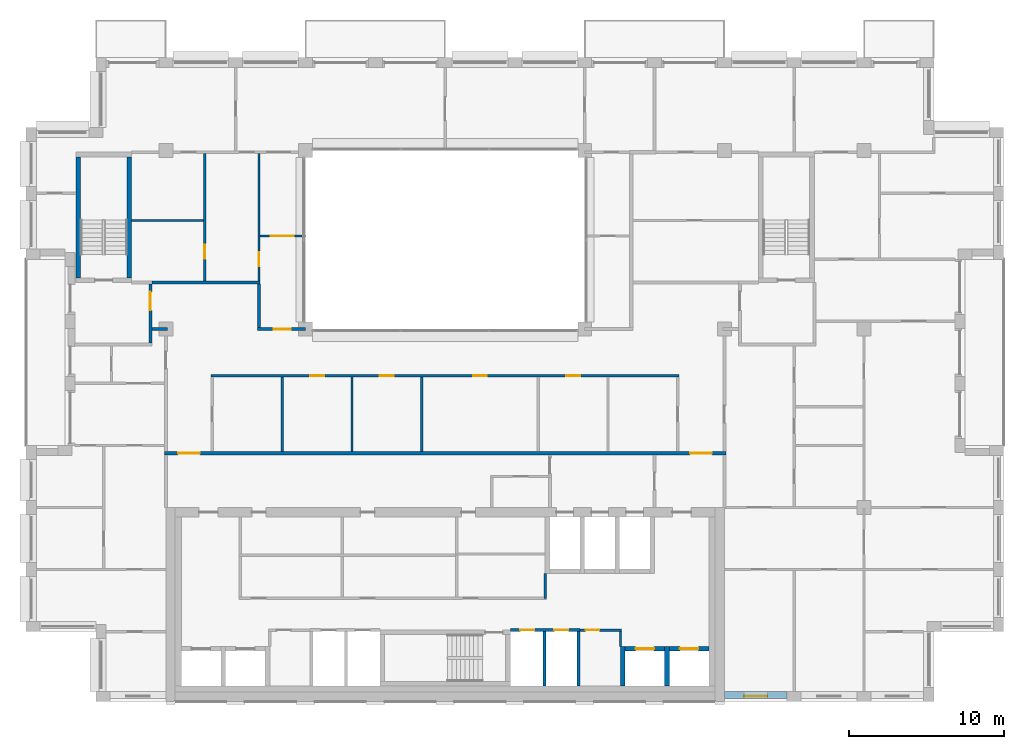
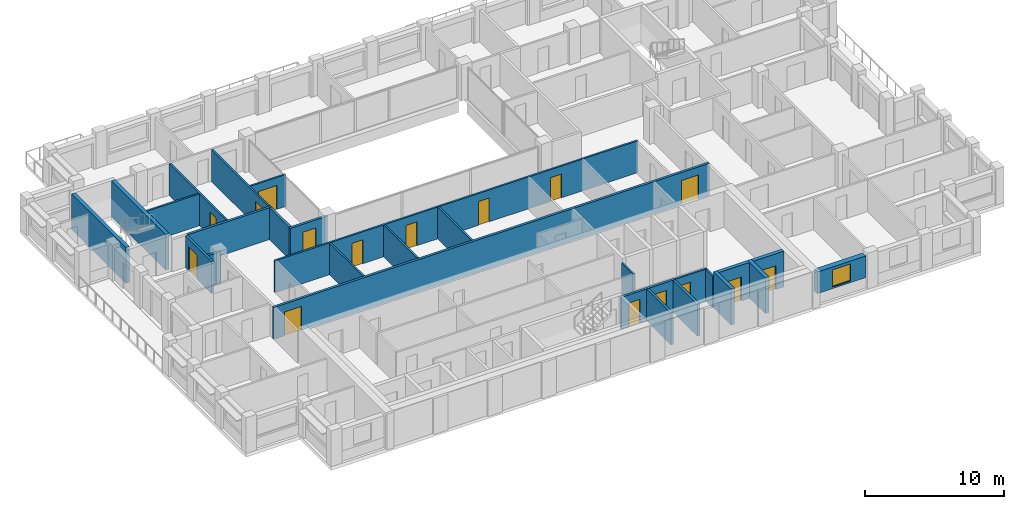
# One storey, part 10 of 15: 27 walls, 16 doors, 1 window, 17 openings.
"""IFC4 building model written with IfcOpenShell, lengths in metres."""

from ifc_helpers import new_model, si_unit, direction, frame, frame_2d, origin, place, context, subcontext, project, spatial, rectangle, extrude, material, layer, layer_set, type_object, element, fill, save


model = new_model("IFC4")

# Units and contexts
model_context = context("Model", 3, precision=1e-05, world=origin(), true_north=direction((0.0, 1.0)))
body_context = subcontext(model_context, "Body", "Model", "MODEL_VIEW")
ifc_project = project(units=[si_unit("LENGTHUNIT", "METRE"), si_unit("AREAUNIT", "SQUARE_METRE"), si_unit("VOLUMEUNIT", "CUBIC_METRE"), si_unit("PLANEANGLEUNIT", "RADIAN"), si_unit("MASSUNIT", "GRAM", prefix="KILO")], contexts=[model_context])

# Site, building, storey
site_placement = place(None, origin())
site = spatial("IfcSite", under=ifc_project, at=site_placement, CompositionType="ELEMENT")
building_placement = place(site_placement, origin())
building = spatial("IfcBuilding", under=site, at=building_placement, Name="Brigalow Station Residences", CompositionType="ELEMENT")
storey_placement = place(building_placement, frame((0.0, 0.0, 232.64990234375)))
storey = spatial("IfcBuildingStorey", under=building, at=storey_placement, Name="L67", CompositionType="ELEMENT", Elevation=232.64990234375)

# Wall, opening, window
ifc_material_1 = material(Name="Clay brick masonry", Category="masonry")
ifc_layer_1 = layer(ifc_material_1, 0.449951171875)
ifc_layer_set_1 = layer_set([ifc_layer_1], Name="BRICK INFILL WALL 450")
wall_type_1 = type_object("IfcWallType", Name="BRICK INFILL WALL 450", PredefinedType="SOLIDWALL", material=ifc_layer_set_1)
wall_1_placement = place(storey_placement, frame((54.0, 0.425048828125, 0.900146484375), z_axis=(0.0, 0.0, 1.0), x_axis=(1.0, 0.0, 0.0)))
wall_1 = element("IfcWall", 1, at=wall_1_placement, inside=storey, type_object=wall_type_1, Name="L67/ewall/W-L67-3", PredefinedType="SOLIDWALL", context=body_context, shape_type="SweptSolid", body=[
    extrude(rectangle(XDim=4.050048828125, YDim=0.449951171875, at=frame_2d((2.02490234375, 0.0))), origin(), (0.0, 0.0, 1.0), 1.89990234375),
])
opening_1_placement = place(wall_1_placement, frame((1.27490234375, 0.0, 0.14990234375)))
opening_1 = element("IfcOpeningElement", 2, at=opening_1_placement, cuts=wall_1, Name="Opening WT-1", PredefinedType="OPENING", context=body_context, shape_type="SweptSolid", body=[
    extrude(rectangle(XDim=1.5, YDim=1.5, at=frame_2d((0.75, 0.75))), frame((0.0, 0.23486328125, 0.0), z_axis=(0.0, -1.0, 0.0), x_axis=(1.0, 0.0, 0.0)), (0.0, 0.0, 1.0), 0.469970703125),
])
ifc_material_2 = material(Name="Anodised aluminium frame with double glazing", Category="aluminium")
window_type = type_object("IfcWindowType", Name="WINDOW 1500x1500", PartitioningType="SINGLE_PANEL", PredefinedType="WINDOW", material=ifc_material_2)
window_placement = place(opening_1_placement, origin())
window = element("IfcWindow", 3, at=window_placement, inside=storey, type_object=window_type, Name="L67/window/W-L67-3", OverallHeight=1.5, OverallWidth=1.5, PartitioningType="SINGLE_PANEL", PredefinedType="WINDOW", context=body_context, shape_type="SweptSolid", body=[
    extrude(rectangle(XDim=1.5, YDim=1.5, at=frame_2d((0.75, 0.75))), frame((0.0, -0.06494140625, 0.0), z_axis=(0.0, -1.0, 0.0), x_axis=(1.0, 0.0, 0.0)), (0.0, 0.0, 1.0), 0.06005859375),
])
fill(opening_1, window)

# Wall, opening, door
ifc_material_3 = material(Name="Concrete C50", Category="concrete")
ifc_layer_2 = layer(ifc_material_3, 0.300048828125)
ifc_layer_set_2 = layer_set([ifc_layer_2], Name="CORE SHEAR WALL 300 C50")
wall_type_2 = type_object("IfcWallType", Name="CORE SHEAR WALL 300 C50", PredefinedType="SHEAR", material=ifc_layer_set_2)
wall_2_placement = place(storey_placement, frame((47.60009765625, 3.39990234375, 0.0), z_axis=(0.0, 0.0, 1.0), x_axis=(1.0, 0.0, 0.0)))
wall_2 = element("IfcWall", 4, at=wall_2_placement, inside=storey, type_object=wall_type_2, Name="CORE WALL SH-C3-N L67", PredefinedType="SHEAR", context=body_context, shape_type="SweptSolid", body=[
    extrude(rectangle(XDim=2.5498046875, YDim=0.300048828125, at=frame_2d((1.27490234375, 0.0))), origin(), (0.0, 0.0, 1.0), 3.150146484375),
])
opening_2_placement = place(wall_2_placement, frame((0.675048828125, 0.0, 0.0)))
opening_2 = element("IfcOpeningElement", 5, at=opening_2_placement, cuts=wall_2, Name="Opening LD-LB3", PredefinedType="OPENING", context=body_context, shape_type="SweptSolid", body=[
    extrude(rectangle(XDim=1.199951171875, YDim=2.10009765625, at=frame_2d((0.60009765625, 1.050048828125))), frame((0.0, 0.16015625, 0.0), z_axis=(0.0, -1.0, 0.0), x_axis=(1.0, 0.0, 0.0)), (0.0, 0.0, 1.0), 0.320068359375),
])
ifc_material_4 = material(Name="Stainless steel sliding door leaves", Category="steel")
door_type_1 = type_object("IfcDoorType", Name="LIFT LANDING DOOR 1200 x 2100", OperationType="DOUBLE_DOOR_SLIDING", PredefinedType="DOOR", material=ifc_material_4)
door_1_placement = place(opening_2_placement, origin())
door_1 = element("IfcDoor", 6, at=door_1_placement, inside=storey, type_object=door_type_1, Name="LANDING DOOR LB3", OperationType="DOUBLE_DOOR_SLIDING", OverallHeight=2.10009765625, OverallWidth=1.199951171875, PredefinedType="DOOR", context=body_context, shape_type="SweptSolid", body=[
    extrude(rectangle(XDim=1.199951171875, YDim=2.10009765625, at=frame_2d((0.60009765625, 1.050048828125))), frame((0.0, 0.02490234375, 0.0), z_axis=(0.0, -1.0, 0.0), x_axis=(1.0, 0.0, 0.0)), (0.0, 0.0, 1.0), 0.050048828125),
])
fill(opening_2, door_1)

# Wall
wall_3_placement = place(storey_placement, frame((47.449951171875, 1.0, 0.0), z_axis=(0.0, 0.0, 1.0), x_axis=(0.0, 1.0, 0.0)))
element("IfcWall", 7, at=wall_3_placement, inside=storey, type_object=wall_type_2, Name="CORE WALL SH-C3-W L67", PredefinedType="SHEAR", context=body_context, shape_type="SweptSolid", body=[
    extrude(rectangle(XDim=2.550048828125, YDim=0.300048828125, at=frame_2d((1.27490234375, 0.0))), origin(), (0.0, 0.0, 1.0), 3.150146484375),
])

# Wall, opening, door
wall_4_placement = place(storey_placement, frame((50.449951171875, 3.39990234375, 0.0), z_axis=(0.0, 0.0, 1.0), x_axis=(1.0, 0.0, 0.0)))
wall_4 = element("IfcWall", 8, at=wall_4_placement, inside=storey, type_object=wall_type_2, Name="CORE WALL SH-C4-N L67", PredefinedType="SHEAR", context=body_context, shape_type="SweptSolid", body=[
    extrude(rectangle(XDim=2.550048828125, YDim=0.300048828125, at=frame_2d((1.27490234375, 0.0))), origin(), (0.0, 0.0, 1.0), 3.150146484375),
])
opening_3_placement = place(wall_4_placement, frame((0.675048828125, 0.0, 0.0)))
opening_3 = element("IfcOpeningElement", 9, at=opening_3_placement, cuts=wall_4, Name="Opening LD-LB4", PredefinedType="OPENING", context=body_context, shape_type="SweptSolid", body=[
    extrude(rectangle(XDim=1.199951171875, YDim=2.10009765625, at=frame_2d((0.60009765625, 1.050048828125))), frame((0.0, 0.16015625, 0.0), z_axis=(0.0, -1.0, 0.0), x_axis=(1.0, 0.0, 0.0)), (0.0, 0.0, 1.0), 0.320068359375),
])
door_2_placement = place(opening_3_placement, origin())
door_2 = element("IfcDoor", 10, at=door_2_placement, inside=storey, type_object=door_type_1, Name="LANDING DOOR LB4", OperationType="DOUBLE_DOOR_SLIDING", OverallHeight=2.10009765625, OverallWidth=1.199951171875, PredefinedType="DOOR", context=body_context, shape_type="SweptSolid", body=[
    extrude(rectangle(XDim=1.199951171875, YDim=2.10009765625, at=frame_2d((0.60009765625, 1.050048828125))), frame((0.0, 0.02490234375, 0.0), z_axis=(0.0, -1.0, 0.0), x_axis=(1.0, 0.0, 0.0)), (0.0, 0.0, 1.0), 0.050048828125),
])
fill(opening_3, door_2)

# Walls
wall_5_placement = place(storey_placement, frame((50.300048828125, 1.0, 0.0), z_axis=(0.0, 0.0, 1.0), x_axis=(0.0, 1.0, 0.0)))
element("IfcWall", 11, at=wall_5_placement, inside=storey, type_object=wall_type_2, Name="CORE WALL SH-C4-W L67", PredefinedType="SHEAR", context=body_context, shape_type="SweptSolid", body=[
    extrude(rectangle(XDim=2.550048828125, YDim=0.300048828125, at=frame_2d((1.27490234375, 0.0))), origin(), (0.0, 0.0, 1.0), 3.150146484375),
])
for number, where, z_axis, x_axis, name in (
    (12, (12.35009765625, 27.300048828125, 0.0), (0.0, 0.0, 1.0), (0.0, 1.0, 0.0), "CORE WALL ST-S1-W L67"),
    (13, (15.64990234375, 27.300048828125, 0.0), (0.0, 0.0, 1.0), (0.0, 1.0, 0.0), "CORE WALL ST-S1-E L67"),
):
    element("IfcWall", number, at=place(storey_placement, frame(where, z_axis=z_axis, x_axis=x_axis)), inside=storey, type_object=wall_type_2, Name=name, PredefinedType="SHEAR", context=body_context, shape_type="SweptSolid", body=[
        extrude(rectangle(XDim=7.800048828125, YDim=0.300048828125, at=frame_2d((3.89990234375, 0.0))), origin(), (0.0, 0.0, 1.0), 3.150146484375),
    ])

# Wall, openings, doors
ifc_material_5 = material(Name="Concrete blockwork", Category="masonry")
ifc_layer_3 = layer(ifc_material_5, 0.199951171875)
ifc_layer_set_3 = layer_set([ifc_layer_3], Name="FIRE RATED CORE PARTITION 200")
wall_type_3 = type_object("IfcWallType", Name="FIRE RATED CORE PARTITION 200", PredefinedType="PARTITIONING", material=ifc_layer_set_3)
wall_6_placement = place(storey_placement, frame((40.199951171875, 4.60009765625, 0.0), z_axis=(0.0, 0.0, 1.0), x_axis=(1.0, 0.0, 0.0)))
wall_6 = element("IfcWall", 14, at=wall_6_placement, inside=storey, type_object=wall_type_3, Name="PW-5018", PredefinedType="PARTITIONING", context=body_context, shape_type="SweptSolid", body=[
    extrude(rectangle(XDim=4.5, YDim=0.199951171875, at=frame_2d((2.25, 0.0))), origin(), (0.0, 0.0, 1.0), 2.800048828125),
])
opening_4_placement = place(wall_6_placement, frame((0.64990234375, 0.0, 0.0)))
opening_4 = element("IfcOpeningElement", 15, at=opening_4_placement, cuts=wall_6, Name="Opening D-5009", PredefinedType="OPENING", context=body_context, shape_type="SweptSolid", body=[
    extrude(rectangle(XDim=0.89990234375, YDim=2.10009765625, at=frame_2d((0.449951171875, 1.050048828125))), frame((0.0, 0.10986328125, 0.0), z_axis=(0.0, -1.0, 0.0), x_axis=(1.0, 0.0, 0.0)), (0.0, 0.0, 1.0), 0.219970703125),
])
opening_5_placement = place(wall_6_placement, frame((2.85009765625, 0.0, 0.0)))
opening_5 = element("IfcOpeningElement", 16, at=opening_5_placement, cuts=wall_6, Name="Opening D-5010", PredefinedType="OPENING", context=body_context, shape_type="SweptSolid", body=[
    extrude(rectangle(XDim=0.89990234375, YDim=2.10009765625, at=frame_2d((0.449951171875, 1.050048828125))), frame((0.0, 0.10986328125, 0.0), z_axis=(0.0, -1.0, 0.0), x_axis=(1.0, 0.0, 0.0)), (0.0, 0.0, 1.0), 0.219970703125),
])
ifc_material_6 = material(Name="Steel fire door leaf in steel frame", Category="steel")
door_type_2 = type_object("IfcDoorType", Name="RISER ACCESS DOOR 900 x 2100 FD120", OperationType="SINGLE_SWING_LEFT", PredefinedType="DOOR", material=ifc_material_6)
door_3_placement = place(opening_4_placement, frame((0.89990234375, 0.0, 0.0), z_axis=(0.0, 0.0, 1.0), x_axis=(-1.0, 0.0, 0.0)))
door_3 = element("IfcDoor", 17, at=door_3_placement, inside=storey, type_object=door_type_2, Name="D-5009", OperationType="SINGLE_SWING_LEFT", OverallHeight=2.10009765625, OverallWidth=0.89990234375, PredefinedType="DOOR", context=body_context, shape_type="SweptSolid", body=[
    extrude(rectangle(XDim=0.89990234375, YDim=2.10009765625, at=frame_2d((0.449951171875, 1.050048828125))), frame((0.0, 0.02490234375, 0.0), z_axis=(0.0, -1.0, 0.0), x_axis=(1.0, 0.0, 0.0)), (0.0, 0.0, 1.0), 0.050048828125),
])
fill(opening_4, door_3)
door_4_placement = place(opening_5_placement, frame((0.89990234375, 0.0, 0.0), z_axis=(0.0, 0.0, 1.0), x_axis=(-1.0, 0.0, 0.0)))
door_4 = element("IfcDoor", 18, at=door_4_placement, inside=storey, type_object=door_type_2, Name="D-5010", OperationType="SINGLE_SWING_LEFT", OverallHeight=2.10009765625, OverallWidth=0.89990234375, PredefinedType="DOOR", context=body_context, shape_type="SweptSolid", body=[
    extrude(rectangle(XDim=0.89990234375, YDim=2.10009765625, at=frame_2d((0.449951171875, 1.050048828125))), frame((0.0, 0.02490234375, 0.0), z_axis=(0.0, -1.0, 0.0), x_axis=(1.0, 0.0, 0.0)), (0.0, 0.0, 1.0), 0.050048828125),
])
fill(opening_5, door_4)

# Walls
for number, where, z_axis, x_axis, name in (
    (19, (42.39990234375, 1.0, 0.0), (0.0, 0.0, 1.0), (0.0, 1.0, 0.0), "PW-5007"),
    (20, (44.60009765625, 1.0, 0.0), (0.0, 0.0, 1.0), (0.0, 1.0, 0.0), "PW-5008"),
):
    element("IfcWall", number, at=place(storey_placement, frame(where, z_axis=z_axis, x_axis=x_axis)), inside=storey, type_object=wall_type_3, Name=name, PredefinedType="PARTITIONING", context=body_context, shape_type="SweptSolid", body=[
        extrude(rectangle(XDim=3.5, YDim=0.199951171875, at=frame_2d((1.75, 0.0))), origin(), (0.0, 0.0, 1.0), 2.800048828125),
    ])

# Wall, opening, door
wall_7_placement = place(storey_placement, frame((17.0, 23.10009765625, 0.0), z_axis=(0.0, 0.0, 1.0), x_axis=(0.0, 1.0, 0.0)))
wall_7 = element("IfcWall", 21, at=wall_7_placement, inside=storey, type_object=wall_type_3, Name="PW-5035", PredefinedType="PARTITIONING", context=body_context, shape_type="SweptSolid", body=[
    extrude(rectangle(XDim=3.7998046875, YDim=0.199951171875, at=frame_2d((1.89990234375, 0.0))), origin(), (0.0, 0.0, 1.0), 2.800048828125),
])
opening_6_placement = place(wall_7_placement, frame((2.10009765625, 0.0, 0.0)))
opening_6 = element("IfcOpeningElement", 22, at=opening_6_placement, cuts=wall_7, Name="Opening D-5016", PredefinedType="OPENING", context=body_context, shape_type="SweptSolid", body=[
    extrude(rectangle(XDim=1.199951171875, YDim=2.10009765625, at=frame_2d((0.60009765625, 1.050048828125))), frame((0.0, 0.10986328125, 0.0), z_axis=(0.0, -1.0, 0.0), x_axis=(1.0, 0.0, 0.0)), (0.0, 0.0, 1.0), 0.219970703125),
])
ifc_material_7 = material(Name="Steel fire door leaf in steel frame", Category="steel")
door_type_3 = type_object("IfcDoorType", Name="STAIR LOBBY DOOR 1200 x 2100 FD60S", OperationType="SINGLE_SWING_LEFT", PredefinedType="DOOR", material=ifc_material_7)
door_5_placement = place(opening_6_placement, origin())
door_5 = element("IfcDoor", 23, at=door_5_placement, inside=storey, type_object=door_type_3, Name="D-5016", OperationType="SINGLE_SWING_RIGHT", OverallHeight=2.10009765625, OverallWidth=1.199951171875, PredefinedType="DOOR", context=body_context, shape_type="SweptSolid", body=[
    extrude(rectangle(XDim=1.199951171875, YDim=2.10009765625, at=frame_2d((0.60009765625, 1.050048828125))), frame((0.0, 0.02490234375, 0.0), z_axis=(0.0, -1.0, 0.0), x_axis=(1.0, 0.0, 0.0)), (0.0, 0.0, 1.0), 0.050048828125),
])
fill(opening_6, door_5)

# Wall, openings, doors
ifc_material_8 = material(Name="Plasterboard on steel stud partition", Category="steel")
ifc_layer_4 = layer(ifc_material_8, 0.14990234375)
ifc_layer_set_4 = layer_set([ifc_layer_4], Name="FLAT PARTITION 150")
wall_type_4 = type_object("IfcWallType", Name="FLAT PARTITION 150", PredefinedType="PARTITIONING", material=ifc_layer_set_4)
wall_8_placement = place(storey_placement, frame((20.925048828125, 21.0, 0.0), z_axis=(0.0, 0.0, 1.0), x_axis=(1.0, 0.0, 0.0)))
wall_8 = element("IfcWall", 24, at=wall_8_placement, inside=storey, type_object=wall_type_4, Name="PW-4E05", PredefinedType="PARTITIONING", context=body_context, shape_type="SweptSolid", body=[
    extrude(rectangle(XDim=30.14990234375, YDim=0.14990234375, at=frame_2d((15.074951171875, 0.0))), origin(), (0.0, 0.0, 1.0), 2.800048828125),
])
opening_7_placement = place(wall_8_placement, frame((6.375, 0.0, 0.0)))
opening_7 = element("IfcOpeningElement", 25, at=opening_7_placement, cuts=wall_8, Name="Opening D-4E45", PredefinedType="OPENING", context=body_context, shape_type="SweptSolid", body=[
    extrude(rectangle(XDim=0.89990234375, YDim=2.10009765625, at=frame_2d((0.449951171875, 1.050048828125))), frame((0.0, 0.0849609375, 0.0), z_axis=(0.0, -1.0, 0.0), x_axis=(1.0, 0.0, 0.0)), (0.0, 0.0, 1.0), 0.169921875),
])
opening_8_placement = place(wall_8_placement, frame((10.875, 0.0, 0.0)))
opening_8 = element("IfcOpeningElement", 26, at=opening_8_placement, cuts=wall_8, Name="Opening D-4E46", PredefinedType="OPENING", context=body_context, shape_type="SweptSolid", body=[
    extrude(rectangle(XDim=0.89990234375, YDim=2.10009765625, at=frame_2d((0.449951171875, 1.050048828125))), frame((0.0, 0.0849609375, 0.0), z_axis=(0.0, -1.0, 0.0), x_axis=(1.0, 0.0, 0.0)), (0.0, 0.0, 1.0), 0.169921875),
])
opening_9_placement = place(wall_8_placement, frame((16.875, 0.0, 0.0)))
opening_9 = element("IfcOpeningElement", 27, at=opening_9_placement, cuts=wall_8, Name="Opening D-4E47", PredefinedType="OPENING", context=body_context, shape_type="SweptSolid", body=[
    extrude(rectangle(XDim=0.89990234375, YDim=2.10009765625, at=frame_2d((0.449951171875, 1.050048828125))), frame((0.0, 0.0849609375, 0.0), z_axis=(0.0, -1.0, 0.0), x_axis=(1.0, 0.0, 0.0)), (0.0, 0.0, 1.0), 0.169921875),
])
opening_10_placement = place(wall_8_placement, frame((22.875, 0.0, 0.0)))
opening_10 = element("IfcOpeningElement", 28, at=opening_10_placement, cuts=wall_8, Name="Opening D-4E48", PredefinedType="OPENING", context=body_context, shape_type="SweptSolid", body=[
    extrude(rectangle(XDim=0.89990234375, YDim=2.10009765625, at=frame_2d((0.449951171875, 1.050048828125))), frame((0.0, 0.0849609375, 0.0), z_axis=(0.0, -1.0, 0.0), x_axis=(1.0, 0.0, 0.0)), (0.0, 0.0, 1.0), 0.169921875),
])
ifc_material_9 = material(Name="Solid-core timber door leaf", Category="wood")
door_type_4 = type_object("IfcDoorType", Name="INTERNAL DOOR 900 x 2100", OperationType="SINGLE_SWING_LEFT", PredefinedType="DOOR", material=ifc_material_9)
door_6_placement = place(opening_7_placement, frame((0.89990234375, 0.0, 0.0), z_axis=(0.0, 0.0, 1.0), x_axis=(-1.0, 0.0, 0.0)))
door_6 = element("IfcDoor", 29, at=door_6_placement, inside=storey, type_object=door_type_4, Name="D-4E45", OperationType="SINGLE_SWING_RIGHT", OverallHeight=2.10009765625, OverallWidth=0.89990234375, PredefinedType="DOOR", context=body_context, shape_type="SweptSolid", body=[
    extrude(rectangle(XDim=0.89990234375, YDim=2.10009765625, at=frame_2d((0.449951171875, 1.050048828125))), frame((0.0, 0.02490234375, 0.0), z_axis=(0.0, -1.0, 0.0), x_axis=(1.0, 0.0, 0.0)), (0.0, 0.0, 1.0), 0.050048828125),
])
fill(opening_7, door_6)
door_7_placement = place(opening_8_placement, frame((0.89990234375, 0.0, 0.0), z_axis=(0.0, 0.0, 1.0), x_axis=(-1.0, 0.0, 0.0)))
door_7 = element("IfcDoor", 30, at=door_7_placement, inside=storey, type_object=door_type_4, Name="D-4E46", OperationType="SINGLE_SWING_RIGHT", OverallHeight=2.10009765625, OverallWidth=0.89990234375, PredefinedType="DOOR", context=body_context, shape_type="SweptSolid", body=[
    extrude(rectangle(XDim=0.89990234375, YDim=2.10009765625, at=frame_2d((0.449951171875, 1.050048828125))), frame((0.0, 0.02490234375, 0.0), z_axis=(0.0, -1.0, 0.0), x_axis=(1.0, 0.0, 0.0)), (0.0, 0.0, 1.0), 0.050048828125),
])
fill(opening_8, door_7)
door_8_placement = place(opening_9_placement, frame((0.89990234375, 0.0, 0.0), z_axis=(0.0, 0.0, 1.0), x_axis=(-1.0, 0.0, 0.0)))
door_8 = element("IfcDoor", 31, at=door_8_placement, inside=storey, type_object=door_type_4, Name="D-4E47", OperationType="SINGLE_SWING_RIGHT", OverallHeight=2.10009765625, OverallWidth=0.89990234375, PredefinedType="DOOR", context=body_context, shape_type="SweptSolid", body=[
    extrude(rectangle(XDim=0.89990234375, YDim=2.10009765625, at=frame_2d((0.449951171875, 1.050048828125))), frame((0.0, 0.02490234375, 0.0), z_axis=(0.0, -1.0, 0.0), x_axis=(1.0, 0.0, 0.0)), (0.0, 0.0, 1.0), 0.050048828125),
])
fill(opening_9, door_8)
door_9_placement = place(opening_10_placement, frame((0.89990234375, 0.0, 0.0), z_axis=(0.0, 0.0, 1.0), x_axis=(-1.0, 0.0, 0.0)))
door_9 = element("IfcDoor", 32, at=door_9_placement, inside=storey, type_object=door_type_4, Name="D-4E48", OperationType="SINGLE_SWING_LEFT", OverallHeight=2.10009765625, OverallWidth=0.89990234375, PredefinedType="DOOR", context=body_context, shape_type="SweptSolid", body=[
    extrude(rectangle(XDim=0.89990234375, YDim=2.10009765625, at=frame_2d((0.449951171875, 1.050048828125))), frame((0.0, 0.02490234375, 0.0), z_axis=(0.0, -1.0, 0.0), x_axis=(1.0, 0.0, 0.0)), (0.0, 0.0, 1.0), 0.050048828125),
])
fill(opening_10, door_9)

# Wall, opening, door
wall_9_placement = place(storey_placement, frame((24.074951171875, 30.0, 0.0), z_axis=(0.0, 0.0, 1.0), x_axis=(1.0, 0.0, 0.0)))
wall_9 = element("IfcWall", 33, at=wall_9_placement, inside=storey, type_object=wall_type_4, Name="PW-4E17", PredefinedType="PARTITIONING", context=body_context, shape_type="SweptSolid", body=[
    extrude(rectangle(XDim=2.925048828125, YDim=0.14990234375, at=frame_2d((1.46240234375, 0.0))), origin(), (0.0, 0.0, 1.0), 2.800048828125),
])
opening_11_placement = place(wall_9_placement, frame((0.675048828125, 0.0, 0.0)))
opening_11 = element("IfcOpeningElement", 34, at=opening_11_placement, cuts=wall_9, Name="Opening D-4E12", PredefinedType="OPENING", context=body_context, shape_type="SweptSolid", body=[
    extrude(rectangle(XDim=1.5, YDim=2.10009765625, at=frame_2d((0.75, 1.050048828125))), frame((0.0, 0.0849609375, 0.0), z_axis=(0.0, -1.0, 0.0), x_axis=(1.0, 0.0, 0.0)), (0.0, 0.0, 1.0), 0.169921875),
])
ifc_material_10 = material(Name="Solid-core timber door leaf", Category="wood")
door_type_5 = type_object("IfcDoorType", Name="INTERNAL DOUBLE DOOR 1500 x 2100", OperationType="DOUBLE_DOOR_SINGLE_SWING", PredefinedType="DOOR", material=ifc_material_10)
door_10_placement = place(opening_11_placement, frame((1.5, 0.0, 0.0), z_axis=(0.0, 0.0, 1.0), x_axis=(-1.0, 0.0, 0.0)))
door_10 = element("IfcDoor", 35, at=door_10_placement, inside=storey, type_object=door_type_5, Name="D-4E12", OperationType="DOUBLE_DOOR_SINGLE_SWING", OverallHeight=2.10009765625, OverallWidth=1.5, PredefinedType="DOOR", context=body_context, shape_type="SweptSolid", body=[
    extrude(rectangle(XDim=1.5, YDim=2.10009765625, at=frame_2d((0.75, 1.050048828125))), frame((0.0, 0.02490234375, 0.0), z_axis=(0.0, -1.0, 0.0), x_axis=(1.0, 0.0, 0.0)), (0.0, 0.0, 1.0), 0.050048828125),
])
fill(opening_11, door_10)

# Wall
wall_10_placement = place(storey_placement, frame((15.800048828125, 31.0, 0.0), z_axis=(0.0, 0.0, 1.0), x_axis=(1.0, 0.0, 0.0)))
element("IfcWall", 36, at=wall_10_placement, inside=storey, type_object=wall_type_4, Name="PW-4E24", PredefinedType="PARTITIONING", context=body_context, shape_type="SweptSolid", body=[
    extrude(rectangle(XDim=4.625, YDim=0.14990234375, at=frame_2d((2.3125, 0.0))), origin(), (0.0, 0.0, 1.0), 2.800048828125),
])

# Wall, opening, door
wall_11_placement = place(storey_placement, frame((24.0, 27.10009765625, 0.0), z_axis=(0.0, 0.0, 1.0), x_axis=(0.0, 1.0, 0.0)))
wall_11 = element("IfcWall", 37, at=wall_11_placement, inside=storey, type_object=wall_type_4, Name="PW-4E36", PredefinedType="PARTITIONING", context=body_context, shape_type="SweptSolid", body=[
    extrude(rectangle(XDim=8.224853515625, YDim=0.14990234375, at=frame_2d((4.1123046875, 0.0))), origin(), (0.0, 0.0, 1.0), 2.800048828125),
])
opening_12_placement = place(wall_11_placement, frame((0.949951171875, 0.0, 0.0)))
opening_12 = element("IfcOpeningElement", 38, at=opening_12_placement, cuts=wall_11, Name="Opening D-4E13", PredefinedType="OPENING", context=body_context, shape_type="SweptSolid", body=[
    extrude(rectangle(XDim=0.89990234375, YDim=2.10009765625, at=frame_2d((0.449951171875, 1.050048828125))), frame((0.0, 0.0849609375, 0.0), z_axis=(0.0, -1.0, 0.0), x_axis=(1.0, 0.0, 0.0)), (0.0, 0.0, 1.0), 0.169921875),
])
door_11_placement = place(opening_12_placement, frame((0.89990234375, 0.0, 0.0), z_axis=(0.0, 0.0, 1.0), x_axis=(-1.0, 0.0, 0.0)))
door_11 = element("IfcDoor", 39, at=door_11_placement, inside=storey, type_object=door_type_4, Name="D-4E13", OperationType="SINGLE_SWING_LEFT", OverallHeight=2.10009765625, OverallWidth=0.89990234375, PredefinedType="DOOR", context=body_context, shape_type="SweptSolid", body=[
    extrude(rectangle(XDim=0.89990234375, YDim=2.10009765625, at=frame_2d((0.449951171875, 1.050048828125))), frame((0.0, 0.02490234375, 0.0), z_axis=(0.0, -1.0, 0.0), x_axis=(1.0, 0.0, 0.0)), (0.0, 0.0, 1.0), 0.050048828125),
])
fill(opening_12, door_11)

wall_12_placement = place(storey_placement, frame((20.5, 27.10009765625, 0.0), z_axis=(0.0, 0.0, 1.0), x_axis=(0.0, 1.0, 0.0)))
wall_12 = element("IfcWall", 40, at=wall_12_placement, inside=storey, type_object=wall_type_4, Name="PW-4E41", PredefinedType="PARTITIONING", context=body_context, shape_type="SweptSolid", body=[
    extrude(rectangle(XDim=8.224853515625, YDim=0.14990234375, at=frame_2d((4.1123046875, 0.0))), origin(), (0.0, 0.0, 1.0), 2.800048828125),
])
opening_13_placement = place(wall_12_placement, frame((1.449951171875, 0.0, 0.0)))
opening_13 = element("IfcOpeningElement", 41, at=opening_13_placement, cuts=wall_12, Name="Opening D-4E14", PredefinedType="OPENING", context=body_context, shape_type="SweptSolid", body=[
    extrude(rectangle(XDim=0.89990234375, YDim=2.10009765625, at=frame_2d((0.449951171875, 1.050048828125))), frame((0.0, 0.0849609375, 0.0), z_axis=(0.0, -1.0, 0.0), x_axis=(1.0, 0.0, 0.0)), (0.0, 0.0, 1.0), 0.169921875),
])
door_12_placement = place(opening_13_placement, origin())
door_12 = element("IfcDoor", 42, at=door_12_placement, inside=storey, type_object=door_type_4, Name="D-4E14", OperationType="SINGLE_SWING_LEFT", OverallHeight=2.10009765625, OverallWidth=0.89990234375, PredefinedType="DOOR", context=body_context, shape_type="SweptSolid", body=[
    extrude(rectangle(XDim=0.89990234375, YDim=2.10009765625, at=frame_2d((0.449951171875, 1.050048828125))), frame((0.0, 0.02490234375, 0.0), z_axis=(0.0, -1.0, 0.0), x_axis=(1.0, 0.0, 0.0)), (0.0, 0.0, 1.0), 0.050048828125),
])
fill(opening_13, door_12)

# Walls
for number, where, z_axis, x_axis, name in (
    (43, (25.5, 16.10009765625, 0.0), (0.0, 0.0, 1.0), (0.0, 1.0, 0.0), "PW-4E54"),
    (44, (30.0, 16.10009765625, 0.0), (0.0, 0.0, 1.0), (0.0, 1.0, 0.0), "PW-4E55"),
    (45, (34.5, 16.10009765625, 0.0), (0.0, 0.0, 1.0), (0.0, 1.0, 0.0), "PW-4E56"),
):
    element("IfcWall", number, at=place(storey_placement, frame(where, z_axis=z_axis, x_axis=x_axis)), inside=storey, type_object=wall_type_4, Name=name, PredefinedType="PARTITIONING", context=body_context, shape_type="SweptSolid", body=[
        extrude(rectangle(XDim=4.824951171875, YDim=0.14990234375, at=frame_2d((2.41259765625, 0.0))), origin(), (0.0, 0.0, 1.0), 2.800048828125),
    ])
ifc_material_11 = material(Name="Plasterboard on steel stud partition", Category="steel")
ifc_layer_5 = layer(ifc_material_11, 0.199951171875)
ifc_layer_set_5 = layer_set([ifc_layer_5], Name="PARTY AND CORRIDOR WALL 200")
wall_type_5 = type_object("IfcWallType", Name="PARTY AND CORRIDOR WALL 200", PredefinedType="PARTITIONING", material=ifc_layer_set_5)
wall_13_placement = place(storey_placement, frame((17.10009765625, 24.0, 0.0), z_axis=(0.0, 0.0, 1.0), x_axis=(1.0, 0.0, 0.0)))
element("IfcWall", 46, at=wall_13_placement, inside=storey, type_object=wall_type_5, Name="PW-4E01", PredefinedType="PARTITIONING", context=body_context, shape_type="SweptSolid", body=[
    extrude(rectangle(XDim=1.0, YDim=0.199951171875, at=frame_2d((0.5, 0.0))), origin(), (0.0, 0.0, 1.0), 2.800048828125),
])

# Wall, opening, door
wall_14_placement = place(storey_placement, frame((23.89990234375, 24.0, 0.0), z_axis=(0.0, 0.0, 1.0), x_axis=(1.0, 0.0, 0.0)))
wall_14 = element("IfcWall", 47, at=wall_14_placement, inside=storey, type_object=wall_type_5, Name="PW-4E02", PredefinedType="PARTITIONING", context=body_context, shape_type="SweptSolid", body=[
    extrude(rectangle(XDim=3.10009765625, YDim=0.199951171875, at=frame_2d((1.550048828125, 0.0))), origin(), (0.0, 0.0, 1.0), 2.800048828125),
])
opening_14_placement = place(wall_14_placement, frame((1.050048828125, 0.0, 0.0)))
opening_14 = element("IfcOpeningElement", 48, at=opening_14_placement, cuts=wall_14, Name="Opening D-4E11", PredefinedType="OPENING", context=body_context, shape_type="SweptSolid", body=[
    extrude(rectangle(XDim=1.10009765625, YDim=2.10009765625, at=frame_2d((0.550048828125, 1.050048828125))), frame((0.0, 0.10986328125, 0.0), z_axis=(0.0, -1.0, 0.0), x_axis=(1.0, 0.0, 0.0)), (0.0, 0.0, 1.0), 0.219970703125),
])
ifc_material_12 = material(Name="Solid-core timber door leaf", Category="wood")
door_type_6 = type_object("IfcDoorType", Name="FLAT ENTRANCE DOOR 1100 x 2100 FRL -/60/30", OperationType="SINGLE_SWING_LEFT", PredefinedType="DOOR", material=ifc_material_12)
door_13_placement = place(opening_14_placement, origin())
door_13 = element("IfcDoor", 49, at=door_13_placement, inside=storey, type_object=door_type_6, Name="D-4E11", OperationType="SINGLE_SWING_LEFT", OverallHeight=2.10009765625, OverallWidth=1.10009765625, PredefinedType="DOOR", context=body_context, shape_type="SweptSolid", body=[
    extrude(rectangle(XDim=1.10009765625, YDim=2.10009765625, at=frame_2d((0.550048828125, 1.050048828125))), frame((0.0, 0.02490234375, 0.0), z_axis=(0.0, -1.0, 0.0), x_axis=(1.0, 0.0, 0.0)), (0.0, 0.0, 1.0), 0.050048828125),
])
fill(opening_14, door_13)

# Wall
wall_15_placement = place(storey_placement, frame((17.10009765625, 27.0, 0.0), z_axis=(0.0, 0.0, 1.0), x_axis=(1.0, 0.0, 0.0)))
element("IfcWall", 50, at=wall_15_placement, inside=storey, type_object=wall_type_5, Name="PW-4E06", PredefinedType="PARTITIONING", context=body_context, shape_type="SweptSolid", body=[
    extrude(rectangle(XDim=6.974853515625, YDim=0.199951171875, at=frame_2d((3.4873046875, 0.0))), origin(), (0.0, 0.0, 1.0), 2.800048828125),
])

# Wall, openings, doors
wall_16_placement = place(storey_placement, frame((17.89990234375, 16.0, 0.0), z_axis=(0.0, 0.0, 1.0), x_axis=(1.0, 0.0, 0.0)))
wall_16 = element("IfcWall", 51, at=wall_16_placement, inside=storey, type_object=wall_type_5, Name="PW-4E31", PredefinedType="PARTITIONING", context=body_context, shape_type="SweptSolid", body=[
    extrude(rectangle(XDim=36.2001953125, YDim=0.199951171875, at=frame_2d((18.10009765625, 0.0))), origin(), (0.0, 0.0, 1.0), 2.800048828125),
])
opening_15_placement = place(wall_16_placement, frame((0.89990234375, 0.0, 0.0)))
opening_15 = element("IfcOpeningElement", 52, at=opening_15_placement, cuts=wall_16, Name="Opening D-4E01", PredefinedType="OPENING", context=body_context, shape_type="SweptSolid", body=[
    extrude(rectangle(XDim=1.39990234375, YDim=2.10009765625, at=frame_2d((0.699951171875, 1.050048828125))), frame((0.0, 0.10986328125, 0.0), z_axis=(0.0, -1.0, 0.0), x_axis=(1.0, 0.0, 0.0)), (0.0, 0.0, 1.0), 0.219970703125),
])
opening_16_placement = place(wall_16_placement, frame((33.89990234375, 0.0, 0.0)))
opening_16 = element("IfcOpeningElement", 53, at=opening_16_placement, cuts=wall_16, Name="Opening D-4E02", PredefinedType="OPENING", context=body_context, shape_type="SweptSolid", body=[
    extrude(rectangle(XDim=1.39990234375, YDim=2.10009765625, at=frame_2d((0.699951171875, 1.050048828125))), frame((0.0, 0.10986328125, 0.0), z_axis=(0.0, -1.0, 0.0), x_axis=(1.0, 0.0, 0.0)), (0.0, 0.0, 1.0), 0.219970703125),
])
ifc_material_13 = material(Name="Solid-core timber door leaf", Category="wood")
door_type_7 = type_object("IfcDoorType", Name="CORRIDOR FIRE DOOR 1400 x 2100 FRL -/60/30", OperationType="DOUBLE_DOOR_SINGLE_SWING", PredefinedType="DOOR", material=ifc_material_13)
door_14_placement = place(opening_15_placement, frame((1.39990234375, 0.0, 0.0), z_axis=(0.0, 0.0, 1.0), x_axis=(-1.0, 0.0, 0.0)))
door_14 = element("IfcDoor", 54, at=door_14_placement, inside=storey, type_object=door_type_7, Name="D-4E01", OperationType="DOUBLE_DOOR_SINGLE_SWING", OverallHeight=2.10009765625, OverallWidth=1.39990234375, PredefinedType="DOOR", context=body_context, shape_type="SweptSolid", body=[
    extrude(rectangle(XDim=1.39990234375, YDim=2.10009765625, at=frame_2d((0.699951171875, 1.050048828125))), frame((0.0, 0.02490234375, 0.0), z_axis=(0.0, -1.0, 0.0), x_axis=(1.0, 0.0, 0.0)), (0.0, 0.0, 1.0), 0.050048828125),
])
fill(opening_15, door_14)
door_15_placement = place(opening_16_placement, frame((1.39990234375, 0.0, 0.0), z_axis=(0.0, 0.0, 1.0), x_axis=(-1.0, 0.0, 0.0)))
door_15 = element("IfcDoor", 55, at=door_15_placement, inside=storey, type_object=door_type_7, Name="D-4E02", OperationType="DOUBLE_DOOR_SINGLE_SWING", OverallHeight=2.10009765625, OverallWidth=1.39990234375, PredefinedType="DOOR", context=body_context, shape_type="SweptSolid", body=[
    extrude(rectangle(XDim=1.39990234375, YDim=2.10009765625, at=frame_2d((0.699951171875, 1.050048828125))), frame((0.0, 0.02490234375, 0.0), z_axis=(0.0, -1.0, 0.0), x_axis=(1.0, 0.0, 0.0)), (0.0, 0.0, 1.0), 0.050048828125),
])
fill(opening_16, door_15)

# Wall
wall_17_placement = place(storey_placement, frame((24.0, 24.10009765625, 0.0), z_axis=(0.0, 0.0, 1.0), x_axis=(0.0, 1.0, 0.0)))
element("IfcWall", 56, at=wall_17_placement, inside=storey, type_object=wall_type_5, Name="PW-4E37", PredefinedType="PARTITIONING", context=body_context, shape_type="SweptSolid", body=[
    extrude(rectangle(XDim=2.7998046875, YDim=0.199951171875, at=frame_2d((1.39990234375, 0.0))), origin(), (0.0, 0.0, 1.0), 2.800048828125),
])

# Wall, opening, door
ifc_material_14 = material(Name="Plasterboard on steel studs", Category="steel")
ifc_layer_6 = layer(ifc_material_14, 0.14990234375)
ifc_layer_set_6 = layer_set([ifc_layer_6], Name="SERVICE ROOM PARTITION 150")
wall_type_6 = type_object("IfcWallType", Name="SERVICE ROOM PARTITION 150", PredefinedType="PARTITIONING", material=ifc_layer_set_6)
wall_18_placement = place(storey_placement, frame((44.699951171875, 4.60009765625, 0.0), z_axis=(0.0, 0.0, 1.0), x_axis=(1.0, 0.0, 0.0)))
wall_18 = element("IfcWall", 57, at=wall_18_placement, inside=storey, type_object=wall_type_6, Name="PW-5156", PredefinedType="PARTITIONING", context=body_context, shape_type="SweptSolid", body=[
    extrude(rectangle(XDim=2.675048828125, YDim=0.14990234375, at=frame_2d((1.33740234375, 0.0))), origin(), (0.0, 0.0, 1.0), 2.800048828125),
])
opening_17_placement = place(wall_18_placement, frame((0.35009765625, 0.0, 0.0)))
opening_17 = element("IfcOpeningElement", 58, at=opening_17_placement, cuts=wall_18, Name="Opening D-5026", PredefinedType="OPENING", context=body_context, shape_type="SweptSolid", body=[
    extrude(rectangle(XDim=0.89990234375, YDim=2.10009765625, at=frame_2d((0.449951171875, 1.050048828125))), frame((0.0, 0.0849609375, 0.0), z_axis=(0.0, -1.0, 0.0), x_axis=(1.0, 0.0, 0.0)), (0.0, 0.0, 1.0), 0.169921875),
])
ifc_material_15 = material(Name="Steel door leaf in steel frame", Category="steel")
door_type_8 = type_object("IfcDoorType", Name="SERVICE ROOM DOOR 900 x 2100 FD60", OperationType="SINGLE_SWING_LEFT", PredefinedType="DOOR", material=ifc_material_15)
door_16_placement = place(opening_17_placement, frame((0.89990234375, 0.0, 0.0), z_axis=(0.0, 0.0, 1.0), x_axis=(-1.0, 0.0, 0.0)))
door_16 = element("IfcDoor", 59, at=door_16_placement, inside=storey, type_object=door_type_8, Name="D-5026", OperationType="SINGLE_SWING_RIGHT", OverallHeight=2.10009765625, OverallWidth=0.89990234375, PredefinedType="DOOR", context=body_context, shape_type="SweptSolid", body=[
    extrude(rectangle(XDim=0.89990234375, YDim=2.10009765625, at=frame_2d((0.449951171875, 1.050048828125))), frame((0.0, 0.02490234375, 0.0), z_axis=(0.0, -1.0, 0.0), x_axis=(1.0, 0.0, 0.0)), (0.0, 0.0, 1.0), 0.050048828125),
])
fill(opening_17, door_16)

# Walls
wall_19_placement = place(storey_placement, frame((47.300048828125, 3.550048828125, 0.0), z_axis=(0.0, 0.0, 1.0), x_axis=(0.0, 1.0, 0.0)))
element("IfcWall", 60, at=wall_19_placement, inside=storey, type_object=wall_type_6, Name="PW-5158", PredefinedType="PARTITIONING", context=body_context, shape_type="SweptSolid", body=[
    extrude(rectangle(XDim=0.974853515625, YDim=0.14990234375, at=frame_2d((0.4873046875, 0.0))), origin(), (0.0, 0.0, 1.0), 2.800048828125),
])
wall_20_placement = place(storey_placement, frame((42.449951171875, 6.64990234375, 0.0), z_axis=(0.0, 0.0, 1.0), x_axis=(0.0, 1.0, 0.0)))
element("IfcWall", 61, at=wall_20_placement, inside=storey, type_object=wall_type_6, Name="PW-5029", PredefinedType="PARTITIONING", context=body_context, shape_type="SweptSolid", body=[
    extrude(rectangle(XDim=1.60009765625, YDim=0.14990234375, at=frame_2d((0.800048828125, 0.0))), origin(), (0.0, 0.0, 1.0), 2.800048828125),
])

save(model, "model.ifc")
